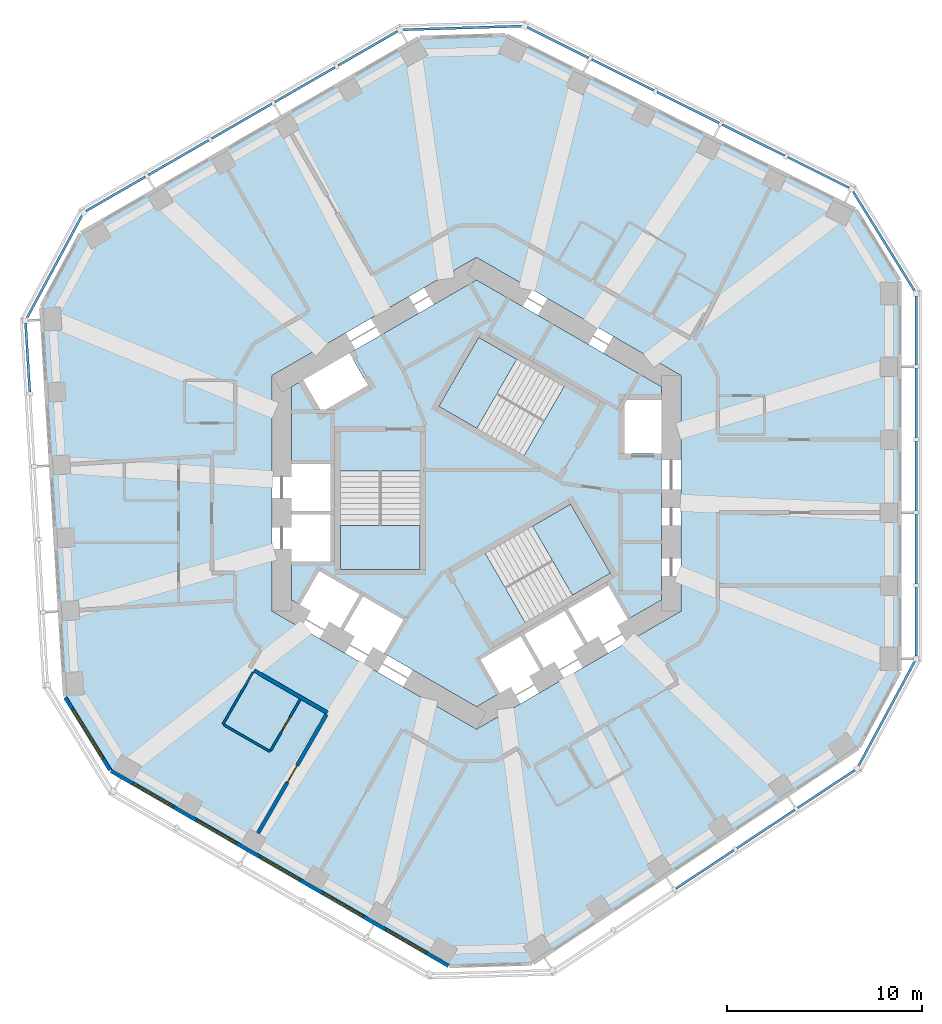
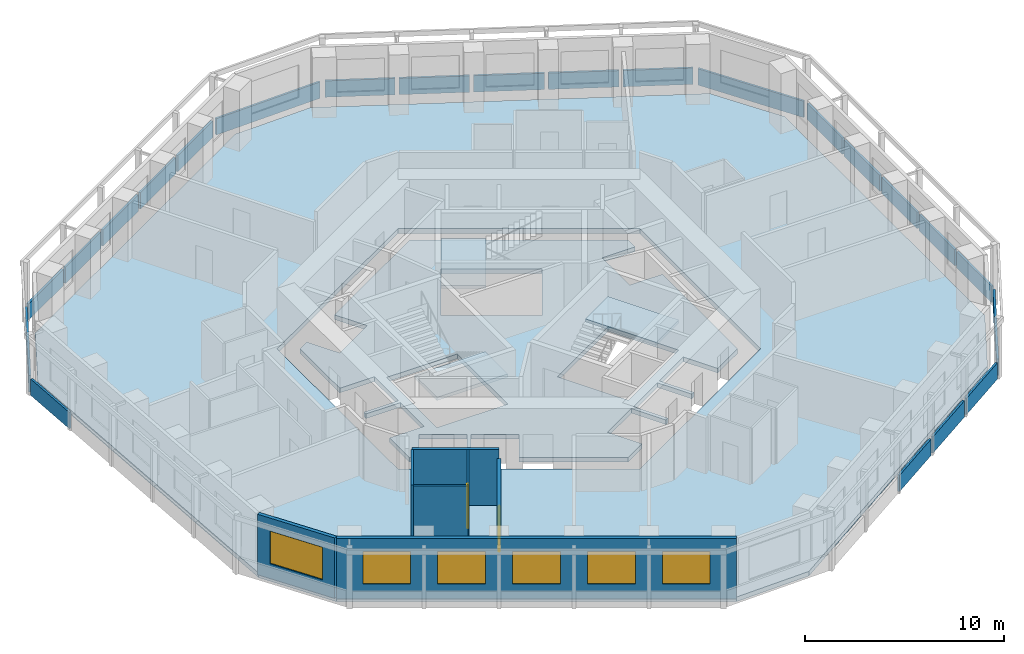
# One storey, part 3 of 11: 23 plates, 7 walls, 6 windows, 5 slabs, 2 doors, 8 openings, 12 elements without a shape of their own.
"""IFC4 building model written with IfcOpenShell, lengths in metres."""

from ifc_helpers import new_model, si_unit, direction, frame, frame_2d, origin, origin_2d, place, context, subcontext, project, spatial, polyline, rectangle, outline, extrude, material, layer, layer_set, type_object, element, fill, aggregate, save


model = new_model("IFC4")

# Units and contexts
model_context = context("Model", 3, precision=1e-05, world=origin(), true_north=direction((0.0, 1.0)))
body_context = subcontext(model_context, "Body", "Model", "MODEL_VIEW")
ifc_project = project(units=[si_unit("LENGTHUNIT", "METRE"), si_unit("AREAUNIT", "SQUARE_METRE"), si_unit("VOLUMEUNIT", "CUBIC_METRE"), si_unit("PLANEANGLEUNIT", "RADIAN"), si_unit("MASSUNIT", "GRAM", prefix="KILO")], contexts=[model_context])

# Site, building, storey
site_placement = place(None, origin())
site = spatial("IfcSite", under=ifc_project, at=site_placement, CompositionType="ELEMENT")
building_placement = place(site_placement, origin())
building = spatial("IfcBuilding", under=site, at=building_placement, Name="Vanh Sen Convention Tower", CompositionType="ELEMENT")
storey_placement = place(building_placement, frame((0.0, 0.0, 172.5)))
storey = spatial("IfcBuildingStorey", under=building, at=storey_placement, Name="L42", CompositionType="ELEMENT", Elevation=172.5)

# Slabs
ifc_material_1 = material(Name="Concrete C40/50", Category="concrete")
ifc_layer_1 = layer(ifc_material_1, 0.280029296875)
ifc_layer_set_1 = layer_set([ifc_layer_1], Name="Concrete C40/50")
slab_type_1 = type_object("IfcSlabType", Name="Core slab 280", PredefinedType="FLOOR", material=ifc_layer_set_1)
slab_1_placement = place(storey_placement, frame((0.0, 0.0, -0.280029296875)))
element("IfcSlab", 1, at=slab_1_placement, inside=storey, type_object=slab_type_1, Name="Core slab L42", PredefinedType="FLOOR", context=body_context, shape_type="SweptSolid", body=[
    extrude(outline(polyline([(0.0, 10.9697265625), (9.5, 5.48486328125), (9.5, 4.800048828125), (7.60009765625, 4.800048828125), (7.60009765625, 2.050048828125), (9.5, 2.050048828125), (9.5, -5.48486328125), (7.781005859375, -6.477294921875), (6.781005859375, -4.7451171875), (4.70263671875, -5.9453125), (5.70263671875, -7.67724609375), (5.529296875, -7.777099609375), (4.529296875, -6.045166015625), (2.450927734375, -7.2451171875), (3.450927734375, -8.977294921875), (3.27783203125, -9.0771484375), (2.27783203125, -7.34521484375), (0.19921875, -8.545166015625), (1.19921875, -10.277099609375), (0.0, -10.9697265625), (-4.75, -8.227294921875), (-3.75, -6.4951171875), (-5.82861328125, -5.295166015625), (-6.82861328125, -7.027099609375), (-7.001708984375, -6.92724609375), (-6.001708984375, -5.1953125), (-8.080078125, -3.9951171875), (-9.080078125, -5.727294921875), (-9.5, -5.48486328125), (-9.5, -3.5), (-7.5, -3.5), (-7.5, -1.10009765625), (-9.5, -1.10009765625), (-9.5, -0.89990234375), (-7.5, -0.89990234375), (-7.5, 1.5), (-9.5, 1.5), (-9.5, 5.48486328125), (-8.906982421875, 5.8271484375), (-7.956787109375, 4.181884765625), (-5.575439453125, 5.556884765625), (-6.525390625, 7.2021484375), (0.0, 10.9697265625)]), holes=[polyline([(-7.0, 1.1494140625), (-7.0, -3.909912109375), (-2.89990234375, -3.909912109375), (-2.89990234375, 1.1494140625), (-7.0, 1.1494140625)]), polyline([(2.504638671875, -6.63671875), (6.88623046875, -4.107177734375), (4.836181640625, -0.556396484375), (0.45458984375, -3.086181640625), (2.504638671875, -6.63671875)]), polyline([(0.11376953125, 8.01708984375), (-1.936279296875, 4.466552734375), (2.4453125, 1.936767578125), (4.495361328125, 5.487548828125), (0.11376953125, 8.01708984375)])]), origin(), (0.0, 0.0, 1.0), 0.280029296875),
])
ifc_layer_2 = layer(ifc_material_1, 0.280029296875)
ifc_layer_set_2 = layer_set([ifc_layer_2], Name="Concrete C40/50")
slab_type_2 = type_object("IfcSlabType", Name="Floor slab 280, compartment floor REI 180", PredefinedType="FLOOR", material=ifc_layer_set_2)
slab_2_placement = place(storey_placement, frame((0.0, 0.0, -0.280029296875)))
element("IfcSlab", 2, at=slab_2_placement, inside=storey, type_object=slab_type_2, Name="Floor slab L42 tower", PredefinedType="FLOOR", context=body_context, shape_type="SweptSolid", body=[
    extrude(outline(polyline([(21.699951171875, -9.15087890625), (21.699951171875, 10.91943359375), (19.454833984375, 14.5478515625), (1.492919921875, 23.503173828125), (-2.925048828125, 23.368408203125), (-20.306640625, 13.3330078125), (-22.326171875, 9.574462890625), (-21.100830078125, -10.458740234375), (-18.77490234375, -14.21728515625), (-1.393310546875, -24.25244140625), (2.871337890625, -24.122314453125), (19.60791015625, -13.04443359375), (21.699951171875, -9.15087890625)]), holes=[polyline([(0.0, 12.12451171875), (-10.5, 6.062255859375), (-10.5, -6.062255859375), (0.0, -12.12451171875), (10.5, -6.062255859375), (10.5, 6.062255859375), (0.0, 12.12451171875)])]), origin(), (0.0, 0.0, 1.0), 0.280029296875),
])

# Curtain wall, plates
ifc_material_2 = material(Name="Concrete C50/60", Category="concrete")
curtain_wall_type = type_object("IfcCurtainWallType", Name="Outer skin office zone", PredefinedType="NOTDEFINED", material=ifc_material_2)
curtain_wall_1_placement = place(storey_placement, origin())
curtain_wall_1 = element("IfcCurtainWall", 3, at=curtain_wall_1_placement, inside=storey, type_object=curtain_wall_type, Name="OUTER SKIN E L42", PredefinedType="NOTDEFINED")
ifc_layer_3 = layer(ifc_material_2, 0.1201171875)
ifc_layer_set_3 = layer_set([ifc_layer_3], Name="Concrete C50/60")
plate_type = type_object("IfcPlateType", Name="Outer skin precast screen panel 120", PredefinedType="CURTAIN_PANEL", material=ifc_layer_set_3)
plate_1_placement = place(storey_placement, frame((22.60009765625, -6.59912109375, 0.0), z_axis=(0.0, 0.0, 1.0), x_axis=(0.0, 1.0, 0.0)))
plate_1 = element("IfcPlate", 4, at=plate_1_placement, type_object=plate_type, Name="OUTER SKIN screen panel E-1", PredefinedType="CURTAIN_PANEL", context=body_context, shape_type="SweptSolid", body=[
    extrude(rectangle(XDim=3.504150390625, YDim=0.1201171875, at=origin_2d()), origin(), (0.0, 0.0, 1.0), 1.0),
])
plate_2_placement = place(storey_placement, frame((22.60009765625, -2.869873046875, 0.0), z_axis=(0.0, 0.0, 1.0), x_axis=(0.0, 1.0, 0.0)))
plate_2 = element("IfcPlate", 5, at=plate_2_placement, type_object=plate_type, Name="OUTER SKIN screen panel E-2", PredefinedType="CURTAIN_PANEL", context=body_context, shape_type="SweptSolid", body=[
    extrude(rectangle(XDim=3.55419921875, YDim=0.1201171875, at=origin_2d()), origin(), (0.0, 0.0, 1.0), 1.0),
])
plate_3_placement = place(storey_placement, frame((22.60009765625, 0.88427734375, 0.0), z_axis=(0.0, 0.0, 1.0), x_axis=(0.0, 1.0, 0.0)))
plate_3 = element("IfcPlate", 6, at=plate_3_placement, type_object=plate_type, Name="OUTER SKIN screen panel E-3", PredefinedType="CURTAIN_PANEL", context=body_context, shape_type="SweptSolid", body=[
    extrude(rectangle(XDim=3.55419921875, YDim=0.1201171875, at=origin_2d()), origin(), (0.0, 0.0, 1.0), 1.0),
])
plate_4_placement = place(storey_placement, frame((22.60009765625, 4.63818359375, 0.0), z_axis=(0.0, 0.0, 1.0), x_axis=(0.0, 1.0, 0.0)))
plate_4 = element("IfcPlate", 7, at=plate_4_placement, type_object=plate_type, Name="OUTER SKIN screen panel E-4", PredefinedType="CURTAIN_PANEL", context=body_context, shape_type="SweptSolid", body=[
    extrude(rectangle(XDim=3.55419921875, YDim=0.1201171875, at=origin_2d()), origin(), (0.0, 0.0, 1.0), 1.0),
])
plate_5_placement = place(storey_placement, frame((22.60009765625, 8.367431640625, 0.0), z_axis=(0.0, 0.0, 1.0), x_axis=(0.0, 1.0, 0.0)))
plate_5 = element("IfcPlate", 8, at=plate_5_placement, type_object=plate_type, Name="OUTER SKIN screen panel E-5", PredefinedType="CURTAIN_PANEL", context=body_context, shape_type="SweptSolid", body=[
    extrude(rectangle(XDim=3.504150390625, YDim=0.1201171875, at=origin_2d()), origin(), (0.0, 0.0, 1.0), 1.0),
])
aggregate(curtain_wall_1, [plate_1, plate_2, plate_3, plate_4, plate_5])

# Curtain wall, plate
curtain_wall_2_placement = place(storey_placement, origin())
curtain_wall_2 = element("IfcCurtainWall", 9, at=curtain_wall_2_placement, inside=storey, type_object=curtain_wall_type, Name="OUTER SKIN CH1 L42", PredefinedType="NOTDEFINED")
plate_6_placement = place(storey_placement, frame((20.937255859375, 12.956298828125, 0.0), z_axis=(0.0, 0.0, 1.0), x_axis=(-0.5262035346, 0.850358653848, 0.0)))
plate_6 = element("IfcPlate", 10, at=plate_6_placement, type_object=plate_type, Name="OUTER SKIN screen panel CH1-1", PredefinedType="CURTAIN_PANEL", context=body_context, shape_type="SweptSolid", body=[
    extrude(rectangle(XDim=6.01953125, YDim=0.1201171875, at=origin_2d()), origin(), (0.0, 0.0, 1.0), 1.0),
])
aggregate(curtain_wall_2, [plate_6])

# Curtain wall, plates
curtain_wall_3_placement = place(storey_placement, origin())
curtain_wall_3 = element("IfcCurtainWall", 11, at=curtain_wall_3_placement, inside=storey, type_object=curtain_wall_type, Name="OUTER SKIN NE L42", PredefinedType="NOTDEFINED")
plate_7_placement = place(storey_placement, frame((17.572509765625, 16.491943359375, 0.0), z_axis=(0.0, 0.0, 1.0), x_axis=(-0.894943706551, 0.446179069551, 0.0)))
plate_7 = element("IfcPlate", 12, at=plate_7_placement, type_object=plate_type, Name="OUTER SKIN screen panel NE-1", PredefinedType="CURTAIN_PANEL", context=body_context, shape_type="SweptSolid", body=[
    extrude(rectangle(XDim=3.504150390625, YDim=0.1201171875, at=origin_2d()), origin(), (0.0, 0.0, 1.0), 1.0),
])
plate_8_placement = place(storey_placement, frame((14.235107421875, 18.156005859375, 0.0), z_axis=(0.0, 0.0, 1.0), x_axis=(-0.894932804072, 0.446200937017, 0.0)))
plate_8 = element("IfcPlate", 13, at=plate_8_placement, type_object=plate_type, Name="OUTER SKIN screen panel NE-2", PredefinedType="CURTAIN_PANEL", context=body_context, shape_type="SweptSolid", body=[
    extrude(rectangle(XDim=3.55419921875, YDim=0.1201171875, at=origin_2d()), origin(), (0.0, 0.0, 1.0), 1.0),
])
plate_9_placement = place(storey_placement, frame((10.87548828125, 19.8310546875, 0.0), z_axis=(0.0, 0.0, 1.0), x_axis=(-0.894932804072, 0.446200937017, 0.0)))
plate_9 = element("IfcPlate", 14, at=plate_9_placement, type_object=plate_type, Name="OUTER SKIN screen panel NE-3", PredefinedType="CURTAIN_PANEL", context=body_context, shape_type="SweptSolid", body=[
    extrude(rectangle(XDim=3.55419921875, YDim=0.1201171875, at=origin_2d()), origin(), (0.0, 0.0, 1.0), 1.0),
])
plate_10_placement = place(storey_placement, frame((7.515625, 21.506103515625, 0.0), z_axis=(0.0, 0.0, 1.0), x_axis=(-0.894932804072, 0.446200937017, 0.0)))
plate_10 = element("IfcPlate", 15, at=plate_10_placement, type_object=plate_type, Name="OUTER SKIN screen panel NE-4", PredefinedType="CURTAIN_PANEL", context=body_context, shape_type="SweptSolid", body=[
    extrude(rectangle(XDim=3.55419921875, YDim=0.1201171875, at=origin_2d()), origin(), (0.0, 0.0, 1.0), 1.0),
])
plate_11_placement = place(storey_placement, frame((4.178466796875, 23.169921875, 0.0), z_axis=(0.0, 0.0, 1.0), x_axis=(-0.894943706551, 0.446179069551, 0.0)))
plate_11 = element("IfcPlate", 16, at=plate_11_placement, type_object=plate_type, Name="OUTER SKIN screen panel NE-5", PredefinedType="CURTAIN_PANEL", context=body_context, shape_type="SweptSolid", body=[
    extrude(rectangle(XDim=3.504150390625, YDim=0.1201171875, at=origin_2d()), origin(), (0.0, 0.0, 1.0), 1.0),
])
aggregate(curtain_wall_3, [plate_7, plate_8, plate_9, plate_10, plate_11])

# Curtain wall, plate
curtain_wall_4_placement = place(storey_placement, origin())
curtain_wall_4 = element("IfcCurtainWall", 17, at=curtain_wall_4_placement, inside=storey, type_object=curtain_wall_type, Name="OUTER SKIN CH2 L42", PredefinedType="NOTDEFINED")
plate_12_placement = place(storey_placement, frame((-0.73095703125, 23.920654296875, 0.0), z_axis=(0.0, 0.0, 1.0), x_axis=(-0.999533590837, -0.03053851321, 0.0)))
plate_12 = element("IfcPlate", 18, at=plate_12_placement, type_object=plate_type, Name="OUTER SKIN screen panel CH2-1", PredefinedType="CURTAIN_PANEL", context=body_context, shape_type="SweptSolid", body=[
    extrude(rectangle(XDim=6.1171875, YDim=0.1201171875, at=origin_2d()), origin(), (0.0, 0.0, 1.0), 1.0),
])
aggregate(curtain_wall_4, [plate_12])

# Curtain wall, plates
curtain_wall_5_placement = place(storey_placement, origin())
curtain_wall_5 = element("IfcCurtainWall", 19, at=curtain_wall_5_placement, inside=storey, type_object=curtain_wall_type, Name="OUTER SKIN NW L42", PredefinedType="NOTDEFINED")
plate_13_placement = place(storey_placement, frame((-5.585205078125, 22.87158203125, 0.0), z_axis=(0.0, 0.0, 1.0), x_axis=(-0.866035002936, -0.499983373414, 0.0)))
plate_13 = element("IfcPlate", 20, at=plate_13_placement, type_object=plate_type, Name="OUTER SKIN screen panel NW-1", PredefinedType="CURTAIN_PANEL", context=body_context, shape_type="SweptSolid", body=[
    extrude(rectangle(XDim=3.504150390625, YDim=0.1201171875, at=origin_2d()), origin(), (0.0, 0.0, 1.0), 1.0),
])
plate_14_placement = place(storey_placement, frame((-8.814697265625, 21.007080078125, 0.0), z_axis=(0.0, 0.0, 1.0), x_axis=(-0.866016677006, -0.500015114919, 0.0)))
plate_14 = element("IfcPlate", 21, at=plate_14_placement, type_object=plate_type, Name="OUTER SKIN screen panel NW-2", PredefinedType="CURTAIN_PANEL", context=body_context, shape_type="SweptSolid", body=[
    extrude(rectangle(XDim=3.55419921875, YDim=0.1201171875, at=origin_2d()), origin(), (0.0, 0.0, 1.0), 1.0),
])
plate_15_placement = place(storey_placement, frame((-12.06591796875, 19.1298828125, 0.0), z_axis=(0.0, 0.0, 1.0), x_axis=(-0.866035002936, -0.499983373414, 0.0)))
plate_15 = element("IfcPlate", 22, at=plate_15_placement, type_object=plate_type, Name="OUTER SKIN screen panel NW-3", PredefinedType="CURTAIN_PANEL", context=body_context, shape_type="SweptSolid", body=[
    extrude(rectangle(XDim=3.55419921875, YDim=0.1201171875, at=origin_2d()), origin(), (0.0, 0.0, 1.0), 1.0),
])
plate_16_placement = place(storey_placement, frame((-15.31689453125, 17.2529296875, 0.0), z_axis=(0.0, 0.0, 1.0), x_axis=(-0.866016677006, -0.500015114919, 0.0)))
plate_16 = element("IfcPlate", 23, at=plate_16_placement, type_object=plate_type, Name="OUTER SKIN screen panel NW-4", PredefinedType="CURTAIN_PANEL", context=body_context, shape_type="SweptSolid", body=[
    extrude(rectangle(XDim=3.55419921875, YDim=0.1201171875, at=origin_2d()), origin(), (0.0, 0.0, 1.0), 1.0),
])
plate_17_placement = place(storey_placement, frame((-18.54638671875, 15.388427734375, 0.0), z_axis=(0.0, 0.0, 1.0), x_axis=(-0.866035002936, -0.499983373414, 0.0)))
plate_17 = element("IfcPlate", 24, at=plate_17_placement, type_object=plate_type, Name="OUTER SKIN screen panel NW-5", PredefinedType="CURTAIN_PANEL", context=body_context, shape_type="SweptSolid", body=[
    extrude(rectangle(XDim=3.504150390625, YDim=0.1201171875, at=origin_2d()), origin(), (0.0, 0.0, 1.0), 1.0),
])
aggregate(curtain_wall_5, [plate_13, plate_14, plate_15, plate_16, plate_17])

# Curtain wall, plate
curtain_wall_6_placement = place(storey_placement, origin())
curtain_wall_6 = element("IfcCurtainWall", 25, at=curtain_wall_6_placement, inside=storey, type_object=curtain_wall_type, Name="OUTER SKIN CH3 L42", PredefinedType="NOTDEFINED")
plate_18_placement = place(storey_placement, frame((-21.689208984375, 11.654052734375, 0.0), z_axis=(0.0, 0.0, 1.0), x_axis=(-0.47331812974, -0.880891564303, 0.0)))
plate_18 = element("IfcPlate", 26, at=plate_18_placement, type_object=plate_type, Name="OUTER SKIN screen panel CH3-1", PredefinedType="CURTAIN_PANEL", context=body_context, shape_type="SweptSolid", body=[
    extrude(rectangle(XDim=6.019287109375, YDim=0.1201171875, at=origin_2d()), origin(), (0.0, 0.0, 1.0), 1.0),
])
aggregate(curtain_wall_6, [plate_18])

curtain_wall_7_placement = place(storey_placement, origin())
curtain_wall_7 = element("IfcCurtainWall", 27, at=curtain_wall_7_placement, inside=storey, type_object=curtain_wall_type, Name="OUTER SKIN W L42", PredefinedType="NOTDEFINED")
plate_19_placement = place(storey_placement, frame((-23.068603515625, 6.97216796875, 0.0), z_axis=(0.0, 0.0, 1.0), x_axis=(0.061053765756, -0.998134478759, 0.0)))
plate_19 = element("IfcPlate", 28, at=plate_19_placement, type_object=plate_type, Name="OUTER SKIN screen panel W-1", PredefinedType="CURTAIN_PANEL", context=body_context, shape_type="SweptSolid", body=[
    extrude(rectangle(XDim=3.504150390625, YDim=0.1201171875, at=origin_2d()), origin(), (0.0, 0.0, 1.0), 1.0),
])
aggregate(curtain_wall_7, [plate_19])

# Curtain wall, plates
curtain_wall_8_placement = place(storey_placement, origin())
curtain_wall_8 = element("IfcCurtainWall", 29, at=curtain_wall_8_placement, inside=storey, type_object=curtain_wall_type, Name="OUTER SKIN SE L42", PredefinedType="NOTDEFINED")
plate_20_placement = place(storey_placement, frame((11.736328125, -19.333984375, 0.0), z_axis=(0.0, 0.0, 1.0), x_axis=(0.833877152158, 0.551950083892, 0.0)))
plate_20 = element("IfcPlate", 30, at=plate_20_placement, type_object=plate_type, Name="OUTER SKIN screen panel SE-3", PredefinedType="CURTAIN_PANEL", context=body_context, shape_type="SweptSolid", body=[
    extrude(rectangle(XDim=3.55419921875, YDim=0.1201171875, at=origin_2d()), origin(), (0.0, 0.0, 1.0), 1.0),
])
plate_21_placement = place(storey_placement, frame((14.866943359375, -17.26171875, 0.0), z_axis=(0.0, 0.0, 1.0), x_axis=(0.833889675294, 0.551931163677, 0.0)))
plate_21 = element("IfcPlate", 31, at=plate_21_placement, type_object=plate_type, Name="OUTER SKIN screen panel SE-4", PredefinedType="CURTAIN_PANEL", context=body_context, shape_type="SweptSolid", body=[
    extrude(rectangle(XDim=3.55419921875, YDim=0.1201171875, at=origin_2d()), origin(), (0.0, 0.0, 1.0), 1.0),
])
plate_22_placement = place(storey_placement, frame((17.9765625, -15.20361328125, 0.0), z_axis=(0.0, 0.0, 1.0), x_axis=(0.833889675294, 0.551931163677, 0.0)))
plate_22 = element("IfcPlate", 32, at=plate_22_placement, type_object=plate_type, Name="OUTER SKIN screen panel SE-5", PredefinedType="CURTAIN_PANEL", context=body_context, shape_type="SweptSolid", body=[
    extrude(rectangle(XDim=3.504150390625, YDim=0.1201171875, at=origin_2d()), origin(), (0.0, 0.0, 1.0), 1.0),
])
aggregate(curtain_wall_8, [plate_20, plate_21, plate_22])

# Curtain wall, plate
curtain_wall_9_placement = place(storey_placement, origin())
curtain_wall_9 = element("IfcCurtainWall", 33, at=curtain_wall_9_placement, inside=storey, type_object=curtain_wall_type, Name="OUTER SKIN CH6 L42", PredefinedType="NOTDEFINED")
plate_23_placement = place(storey_placement, frame((21.081298828125, -11.327392578125, 0.0), z_axis=(0.0, 0.0, 1.0), x_axis=(0.473321204628, 0.880889912105, 0.0)))
plate_23 = element("IfcPlate", 34, at=plate_23_placement, type_object=plate_type, Name="OUTER SKIN screen panel CH6-1", PredefinedType="CURTAIN_PANEL", context=body_context, shape_type="SweptSolid", body=[
    extrude(rectangle(XDim=6.1171875, YDim=0.1201171875, at=origin_2d()), origin(), (0.0, 0.0, 1.0), 1.0),
])
aggregate(curtain_wall_9, [plate_23])

# Stair, slab
ifc_material_3 = material(Name="Concrete C50/60", Category="concrete")
stair_type_1 = type_object("IfcStairType", Name="Exit stair ST1 22 risers at 168.2", PredefinedType="HALF_TURN_STAIR", material=ifc_material_3)
stair_1_placement = place(storey_placement, origin())
stair_1 = element("IfcStair", 35, at=stair_1_placement, inside=storey, type_object=stair_type_1, Name="Exit stair ST1 L42", PredefinedType="HALF_TURN_STAIR")
ifc_layer_4 = layer(ifc_material_1, 0.199951171875)
ifc_layer_set_4 = layer_set([ifc_layer_4], Name="Concrete C40/50")
slab_type_3 = type_object("IfcSlabType", Name="Stair landing 200", PredefinedType="LANDING", material=ifc_layer_set_4)
slab_3_placement = place(storey_placement, frame((0.0, 0.0, 1.64990234375)))
slab_3 = element("IfcSlab", 36, at=slab_3_placement, type_object=slab_type_3, Name="ST1 landing 1", PredefinedType="LANDING", context=body_context, shape_type="SweptSolid", body=[
    extrude(outline(polyline([(2.07177734375, 6.88671875), (0.11376953125, 8.01708984375), (-1.936279296875, 4.466552734375), (0.021728515625, 3.336181640625), (2.07177734375, 6.88671875)])), origin(), (0.0, 0.0, 1.0), 0.2001953125),
])
aggregate(stair_1, [slab_3])

stair_type_2 = type_object("IfcStairType", Name="Exit stair ST2 22 risers at 168.2", PredefinedType="HALF_TURN_STAIR", material=ifc_material_3)
stair_2_placement = place(storey_placement, origin())
stair_2 = element("IfcStair", 37, at=stair_2_placement, inside=storey, type_object=stair_type_2, Name="Exit stair ST2 L42", PredefinedType="HALF_TURN_STAIR")
slab_4_placement = place(storey_placement, frame((0.0, 0.0, 1.64990234375)))
slab_4 = element("IfcSlab", 38, at=slab_4_placement, type_object=slab_type_3, Name="ST2 landing 1", PredefinedType="LANDING", context=body_context, shape_type="SweptSolid", body=[
    extrude(outline(polyline([(-7.0, -1.6494140625), (-7.0, -3.909912109375), (-2.89990234375, -3.909912109375), (-2.89990234375, -1.6494140625), (-7.0, -1.6494140625)])), origin(), (0.0, 0.0, 1.0), 0.2001953125),
])
aggregate(stair_2, [slab_4])

stair_type_3 = type_object("IfcStairType", Name="Exit stair ST3 22 risers at 168.2", PredefinedType="HALF_TURN_STAIR", material=ifc_material_3)
stair_3_placement = place(storey_placement, origin())
stair_3 = element("IfcStair", 39, at=stair_3_placement, inside=storey, type_object=stair_type_3, Name="Exit stair ST3 L42", PredefinedType="HALF_TURN_STAIR")
slab_5_placement = place(storey_placement, frame((0.0, 0.0, 1.64990234375)))
slab_5 = element("IfcSlab", 40, at=slab_5_placement, type_object=slab_type_3, Name="ST3 landing 1", PredefinedType="LANDING", context=body_context, shape_type="SweptSolid", body=[
    extrude(outline(polyline([(4.92822265625, -5.237548828125), (6.88623046875, -4.107177734375), (4.836181640625, -0.556396484375), (2.87841796875, -1.686767578125), (4.92822265625, -5.237548828125)])), origin(), (0.0, 0.0, 1.0), 0.2001953125),
])
aggregate(stair_3, [slab_5])

# Walls
ifc_material_4 = material(Name="Moisture-resistant gypsum board on steel studs", Category="steel")
ifc_layer_5 = layer(ifc_material_4, 0.1201171875)
ifc_layer_set_5 = layer_set([ifc_layer_5], Name="Moisture-resistant gypsum board on steel studs")
wall_type_1 = type_object("IfcWallType", Name="Bathroom partition 120", PredefinedType="PARTITIONING", material=ifc_layer_set_5)
wall_1_placement = place(storey_placement, frame((-13.03466796875, -11.87451171875, 0.0), z_axis=(0.0, 0.0, 1.0), x_axis=(0.500026960575, 0.86600983753, 0.0)))
element("IfcWall", 41, at=wall_1_placement, inside=storey, type_object=wall_type_1, Name="Bathroom partition 120", PredefinedType="PARTITIONING", context=body_context, shape_type="SweptSolid", body=[
    extrude(rectangle(XDim=3.099853515625, YDim=0.1201171875, at=frame_2d((1.5498046875, 0.0))), origin(), (0.0, 0.0, 1.0), 3.419921875),
])
wall_2_placement = place(storey_placement, frame((-10.609619140625, -13.274658203125, 0.0), z_axis=(0.0, 0.0, 1.0), x_axis=(-0.866019409031, 0.500010383074, 0.0)))
element("IfcWall", 42, at=wall_2_placement, inside=storey, type_object=wall_type_1, Name="Bathroom partition 120", PredefinedType="PARTITIONING", context=body_context, shape_type="SweptSolid", body=[
    extrude(rectangle(XDim=2.740234375, YDim=0.1201171875, at=frame_2d((1.3701171875, 0.0))), origin(), (0.0, 0.0, 1.0), 3.419921875),
])

# Wall, opening, door
wall_3_placement = place(storey_placement, frame((-9.059814453125, -10.58984375, 0.0), z_axis=(0.0, 0.0, 1.0), x_axis=(-0.49993101378, -0.866065229334, 0.0)))
wall_3 = element("IfcWall", 43, at=wall_3_placement, inside=storey, type_object=wall_type_1, Name="Bathroom partition 120", PredefinedType="PARTITIONING", context=body_context, shape_type="SweptSolid", body=[
    extrude(rectangle(XDim=3.0400390625, YDim=0.1201171875, at=frame_2d((1.52001953125, 0.0))), origin(), (0.0, 0.0, 1.0), 3.419921875),
])
opening_1_placement = place(wall_3_placement, frame((1.070068359375, 0.0, 0.0)))
opening_1 = element("IfcOpeningElement", 44, at=opening_1_placement, cuts=wall_3, Name="Opening D41114", PredefinedType="OPENING", context=body_context, shape_type="SweptSolid", body=[
    extrude(rectangle(XDim=0.89990234375, YDim=2.10009765625, at=frame_2d((0.449951171875, 1.050048828125))), frame((0.0, 0.070068359375, 0.0), z_axis=(0.0, -1.0, 0.0), x_axis=(1.0, 0.0, 0.0)), (0.0, 0.0, 1.0), 0.14013671875),
])
ifc_material_5 = material(Name="Laminate door in steel frame", Category="steel")
door_type_1 = type_object("IfcDoorType", Name="Room internal door 900", OperationType="SINGLE_SWING_LEFT", PredefinedType="DOOR", material=ifc_material_5)
door_1_placement = place(opening_1_placement, origin())
door_1 = element("IfcDoor", 45, at=door_1_placement, inside=storey, type_object=door_type_1, Name="Internal room door D41114", OperationType="SINGLE_SWING_LEFT", OverallHeight=2.10009765625, OverallWidth=0.89990234375, PredefinedType="DOOR", context=body_context, shape_type="SweptSolid", body=[
    extrude(rectangle(XDim=0.89990234375, YDim=2.10009765625, at=frame_2d((0.449951171875, 1.050048828125))), frame((0.0, 0.02490234375, 0.0), z_axis=(0.0, -1.0, 0.0), x_axis=(1.0, 0.0, 0.0)), (0.0, 0.0, 1.0), 0.050048828125),
])
fill(opening_1, door_1)

# Wall
ifc_material_6 = material(Name="Gypsum board on steel studs with mineral wool", Category="steel")
ifc_layer_6 = layer(ifc_material_6, 0.199951171875)
ifc_layer_set_6 = layer_set([ifc_layer_6], Name="Gypsum board on steel studs with mineral wool")
wall_type_2 = type_object("IfcWallType", Name="Corridor partition wall 200", PredefinedType="PARTITIONING", material=ifc_layer_set_6)
wall_4_placement = place(storey_placement, frame((-11.4345703125, -9.103271484375, 0.0), z_axis=(0.0, 0.0, 1.0), x_axis=(0.866007399799, -0.500031182522, 0.0)))
element("IfcWall", 46, at=wall_4_placement, inside=storey, type_object=wall_type_2, Name="Corridor partition wall 200", PredefinedType="PARTITIONING", context=body_context, shape_type="SweptSolid", body=[
    extrude(rectangle(XDim=4.358154296875, YDim=0.199951171875, at=frame_2d((2.17919921875, 0.0))), origin(), (0.0, 0.0, 1.0), 3.419921875),
])

# Wall, opening, door
wall_5_placement = place(storey_placement, frame((-11.23486328125, -17.4736328125, 0.0), z_axis=(0.0, 0.0, 1.0), x_axis=(0.500009260695, 0.866020057054, 0.0)))
wall_5 = element("IfcWall", 47, at=wall_5_placement, inside=storey, type_object=wall_type_2, Name="Corridor partition wall 200", PredefinedType="PARTITIONING", context=body_context, shape_type="SweptSolid", body=[
    extrude(rectangle(XDim=7.049072265625, YDim=0.199951171875, at=frame_2d((3.5244140625, 0.0))), origin(), (0.0, 0.0, 1.0), 2.8701171875),
])
opening_2_placement = place(wall_5_placement, frame((3.0244140625, 0.0, 0.0)))
opening_2 = element("IfcOpeningElement", 48, at=opening_2_placement, cuts=wall_5, Name="Opening D41113", PredefinedType="OPENING", context=body_context, shape_type="SweptSolid", body=[
    extrude(rectangle(XDim=1.0, YDim=2.10009765625, at=frame_2d((0.5, 1.050048828125))), frame((0.0, 0.10986328125, 0.0), z_axis=(0.0, -1.0, 0.0), x_axis=(1.0, 0.0, 0.0)), (0.0, 0.0, 1.0), 0.219970703125),
])
ifc_material_7 = material(Name="Glazed fire door in steel frame", Category="steel")
door_type_2 = type_object("IfcDoorType", Name="Tenant entrance door 1000", OperationType="SINGLE_SWING_LEFT", PredefinedType="DOOR", material=ifc_material_7)
door_2_placement = place(opening_2_placement, origin())
door_2 = element("IfcDoor", 49, at=door_2_placement, inside=storey, type_object=door_type_2, Name="Tenant suite entrance door D41113", OperationType="SINGLE_SWING_LEFT", OverallHeight=2.10009765625, OverallWidth=1.0, PredefinedType="DOOR", context=body_context, shape_type="SweptSolid", body=[
    extrude(rectangle(XDim=1.0, YDim=2.10009765625, at=frame_2d((0.5, 1.050048828125))), frame((0.0, 0.02490234375, 0.0), z_axis=(0.0, -1.0, 0.0), x_axis=(1.0, 0.0, 0.0)), (0.0, 0.0, 1.0), 0.050048828125),
])
fill(opening_2, door_2)

# Wall, opening, window
ifc_material_8 = material(Name="Insulated lightweight infill wall")
ifc_layer_7 = layer(ifc_material_8, 0.199951171875)
ifc_layer_set_7 = layer_set([ifc_layer_7], Name="Insulated lightweight infill wall")
wall_type_3 = type_object("IfcWallType", Name="External wall 200", PredefinedType="STANDARD", material=ifc_layer_set_7)
wall_6_placement = place(storey_placement, frame((-21.13671875, -10.49560546875, 0.0), z_axis=(0.0, 0.0, 1.0), x_axis=(0.526178661629, -0.850374044786, 0.0)))
wall_6 = element("IfcWall", 50, at=wall_6_placement, inside=storey, type_object=wall_type_3, Name="External wall CH4 L42", PredefinedType="STANDARD", context=body_context, shape_type="SweptSolid", body=[
    extrude(rectangle(XDim=4.394775390625, YDim=0.199951171875, at=frame_2d((2.197265625, 0.0))), origin(), (0.0, 0.0, 1.0), 3.699951171875),
])
opening_3_placement = place(wall_6_placement, frame((0.697509765625, 0.0, 0.89990234375)))
opening_3 = element("IfcOpeningElement", 51, at=opening_3_placement, cuts=wall_6, Name="Opening WO2-CH41", PredefinedType="OPENING", context=body_context, shape_type="SweptSolid", body=[
    extrude(rectangle(XDim=3.0, YDim=2.0, at=frame_2d((1.5, 1.0))), frame((0.0, 0.10986328125, 0.0), z_axis=(0.0, -1.0, 0.0), x_axis=(1.0, 0.0, 0.0)), (0.0, 0.0, 1.0), 0.219970703125),
])
ifc_material_9 = material(Name="Aluminium frame with clear low-emissivity glass", Category="aluminium")
window_type_1 = type_object("IfcWindowType", Name="Office window 3000 x 2000", PartitioningType="SINGLE_PANEL", PredefinedType="WINDOW", material=ifc_material_9)
window_1_placement = place(opening_3_placement, origin())
window_1 = element("IfcWindow", 52, at=window_1_placement, inside=storey, type_object=window_type_1, Name="Window WO2-CH41", OverallHeight=2.0, OverallWidth=3.0, PartitioningType="SINGLE_PANEL", PredefinedType="WINDOW", context=body_context, shape_type="SweptSolid", body=[
    extrude(rectangle(XDim=3.0, YDim=2.0, at=frame_2d((1.5, 1.0))), frame((0.0, 0.030029296875, 0.0), z_axis=(0.0, -1.0, 0.0), x_axis=(1.0, 0.0, 0.0)), (0.0, 0.0, 1.0), 0.06005859375),
])
fill(opening_3, window_1)

# Wall, openings, windows
wall_7_placement = place(storey_placement, frame((-18.7890625, -14.266845703125, 0.0), z_axis=(0.0, 0.0, 1.0), x_axis=(0.866023315909, -0.500003616288, 0.0)))
wall_7 = element("IfcWall", 53, at=wall_7_placement, inside=storey, type_object=wall_type_3, Name="External wall SW L42", PredefinedType="STANDARD", context=body_context, shape_type="SweptSolid", body=[
    extrude(rectangle(XDim=20.043701171875, YDim=0.199951171875, at=frame_2d((10.02197265625, 0.0))), origin(), (0.0, 0.0, 1.0), 3.699951171875),
])
opening_4_placement = place(wall_7_placement, frame((1.314453125, 0.0, 0.89990234375)))
opening_4 = element("IfcOpeningElement", 54, at=opening_4_placement, cuts=wall_7, Name="Opening WO1-SW1", PredefinedType="OPENING", context=body_context, shape_type="SweptSolid", body=[
    extrude(rectangle(XDim=2.39990234375, YDim=2.0, at=frame_2d((1.199951171875, 1.0))), frame((0.0, 0.10986328125, 0.0), z_axis=(0.0, -1.0, 0.0), x_axis=(1.0, 0.0, 0.0)), (0.0, 0.0, 1.0), 0.219970703125),
])
opening_5_placement = place(wall_7_placement, frame((5.068603515625, 0.0, 0.89990234375)))
opening_5 = element("IfcOpeningElement", 55, at=opening_5_placement, cuts=wall_7, Name="Opening WO1-SW2", PredefinedType="OPENING", context=body_context, shape_type="SweptSolid", body=[
    extrude(rectangle(XDim=2.39990234375, YDim=2.0, at=frame_2d((1.199951171875, 1.0))), frame((0.0, 0.10986328125, 0.0), z_axis=(0.0, -1.0, 0.0), x_axis=(1.0, 0.0, 0.0)), (0.0, 0.0, 1.0), 0.219970703125),
])
opening_6_placement = place(wall_7_placement, frame((8.82275390625, 0.0, 0.89990234375)))
opening_6 = element("IfcOpeningElement", 56, at=opening_6_placement, cuts=wall_7, Name="Opening WO1-SW3", PredefinedType="OPENING", context=body_context, shape_type="SweptSolid", body=[
    extrude(rectangle(XDim=2.39990234375, YDim=2.0, at=frame_2d((1.199951171875, 1.0))), frame((0.0, 0.10986328125, 0.0), z_axis=(0.0, -1.0, 0.0), x_axis=(1.0, 0.0, 0.0)), (0.0, 0.0, 1.0), 0.219970703125),
])
opening_7_placement = place(wall_7_placement, frame((12.576904296875, 0.0, 0.89990234375)))
opening_7 = element("IfcOpeningElement", 57, at=opening_7_placement, cuts=wall_7, Name="Opening WO1-SW4", PredefinedType="OPENING", context=body_context, shape_type="SweptSolid", body=[
    extrude(rectangle(XDim=2.39990234375, YDim=2.0, at=frame_2d((1.199951171875, 1.0))), frame((0.0, 0.10986328125, 0.0), z_axis=(0.0, -1.0, 0.0), x_axis=(1.0, 0.0, 0.0)), (0.0, 0.0, 1.0), 0.219970703125),
])
opening_8_placement = place(wall_7_placement, frame((16.330810546875, 0.0, 0.89990234375)))
opening_8 = element("IfcOpeningElement", 58, at=opening_8_placement, cuts=wall_7, Name="Opening WO1-SW5", PredefinedType="OPENING", context=body_context, shape_type="SweptSolid", body=[
    extrude(rectangle(XDim=2.39990234375, YDim=2.0, at=frame_2d((1.199951171875, 1.0))), frame((0.0, 0.10986328125, 0.0), z_axis=(0.0, -1.0, 0.0), x_axis=(1.0, 0.0, 0.0)), (0.0, 0.0, 1.0), 0.219970703125),
])
window_type_2 = type_object("IfcWindowType", Name="Office window 2400 x 2000", PartitioningType="SINGLE_PANEL", PredefinedType="WINDOW", material=ifc_material_9)
window_2_placement = place(opening_4_placement, origin())
window_2 = element("IfcWindow", 59, at=window_2_placement, inside=storey, type_object=window_type_2, Name="Window WO1-SW1", OverallHeight=2.0, OverallWidth=2.39990234375, PartitioningType="SINGLE_PANEL", PredefinedType="WINDOW", context=body_context, shape_type="SweptSolid", body=[
    extrude(rectangle(XDim=2.39990234375, YDim=2.0, at=frame_2d((1.199951171875, 1.0))), frame((0.0, 0.030029296875, 0.0), z_axis=(0.0, -1.0, 0.0), x_axis=(1.0, 0.0, 0.0)), (0.0, 0.0, 1.0), 0.06005859375),
])
fill(opening_4, window_2)
window_3_placement = place(opening_5_placement, origin())
window_3 = element("IfcWindow", 60, at=window_3_placement, inside=storey, type_object=window_type_2, Name="Window WO1-SW2", OverallHeight=2.0, OverallWidth=2.39990234375, PartitioningType="SINGLE_PANEL", PredefinedType="WINDOW", context=body_context, shape_type="SweptSolid", body=[
    extrude(rectangle(XDim=2.39990234375, YDim=2.0, at=frame_2d((1.199951171875, 1.0))), frame((0.0, 0.030029296875, 0.0), z_axis=(0.0, -1.0, 0.0), x_axis=(1.0, 0.0, 0.0)), (0.0, 0.0, 1.0), 0.06005859375),
])
fill(opening_5, window_3)
window_4_placement = place(opening_6_placement, origin())
window_4 = element("IfcWindow", 61, at=window_4_placement, inside=storey, type_object=window_type_2, Name="Window WO1-SW3", OverallHeight=2.0, OverallWidth=2.39990234375, PartitioningType="SINGLE_PANEL", PredefinedType="WINDOW", context=body_context, shape_type="SweptSolid", body=[
    extrude(rectangle(XDim=2.39990234375, YDim=2.0, at=frame_2d((1.199951171875, 1.0))), frame((0.0, 0.030029296875, 0.0), z_axis=(0.0, -1.0, 0.0), x_axis=(1.0, 0.0, 0.0)), (0.0, 0.0, 1.0), 0.06005859375),
])
fill(opening_6, window_4)
window_5_placement = place(opening_7_placement, origin())
window_5 = element("IfcWindow", 62, at=window_5_placement, inside=storey, type_object=window_type_2, Name="Window WO1-SW4", OverallHeight=2.0, OverallWidth=2.39990234375, PartitioningType="SINGLE_PANEL", PredefinedType="WINDOW", context=body_context, shape_type="SweptSolid", body=[
    extrude(rectangle(XDim=2.39990234375, YDim=2.0, at=frame_2d((1.199951171875, 1.0))), frame((0.0, 0.030029296875, 0.0), z_axis=(0.0, -1.0, 0.0), x_axis=(1.0, 0.0, 0.0)), (0.0, 0.0, 1.0), 0.06005859375),
])
fill(opening_7, window_5)
window_6_placement = place(opening_8_placement, origin())
window_6 = element("IfcWindow", 63, at=window_6_placement, inside=storey, type_object=window_type_2, Name="Window WO1-SW5", OverallHeight=2.0, OverallWidth=2.39990234375, PartitioningType="SINGLE_PANEL", PredefinedType="WINDOW", context=body_context, shape_type="SweptSolid", body=[
    extrude(rectangle(XDim=2.39990234375, YDim=2.0, at=frame_2d((1.199951171875, 1.0))), frame((0.0, 0.030029296875, 0.0), z_axis=(0.0, -1.0, 0.0), x_axis=(1.0, 0.0, 0.0)), (0.0, 0.0, 1.0), 0.06005859375),
])
fill(opening_8, window_6)

save(model, "model.ifc")
